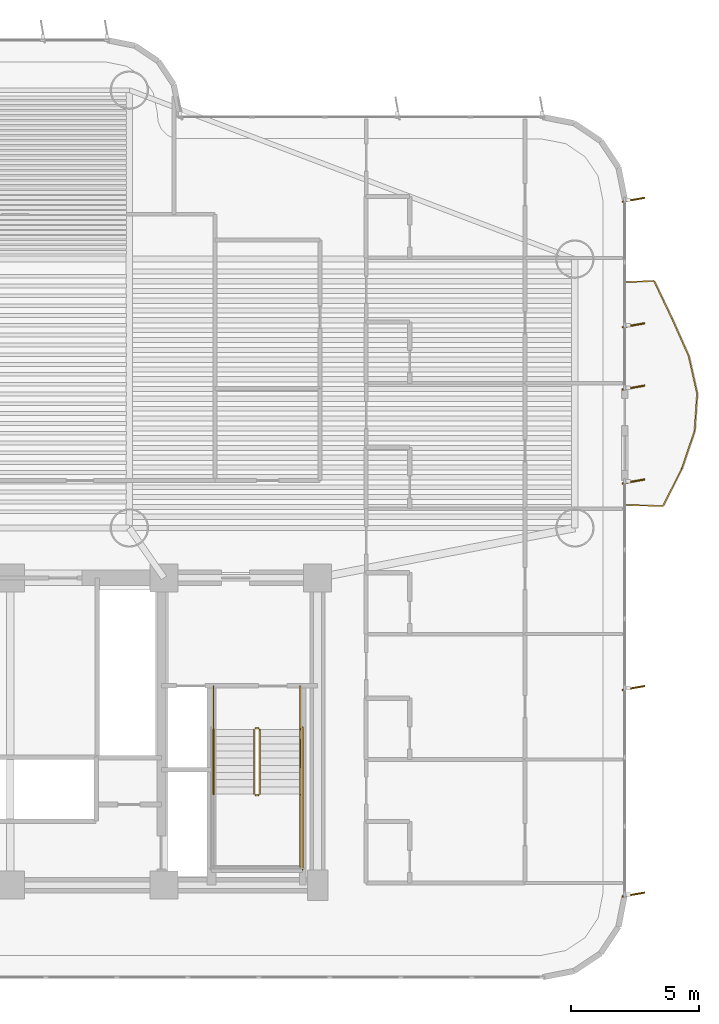
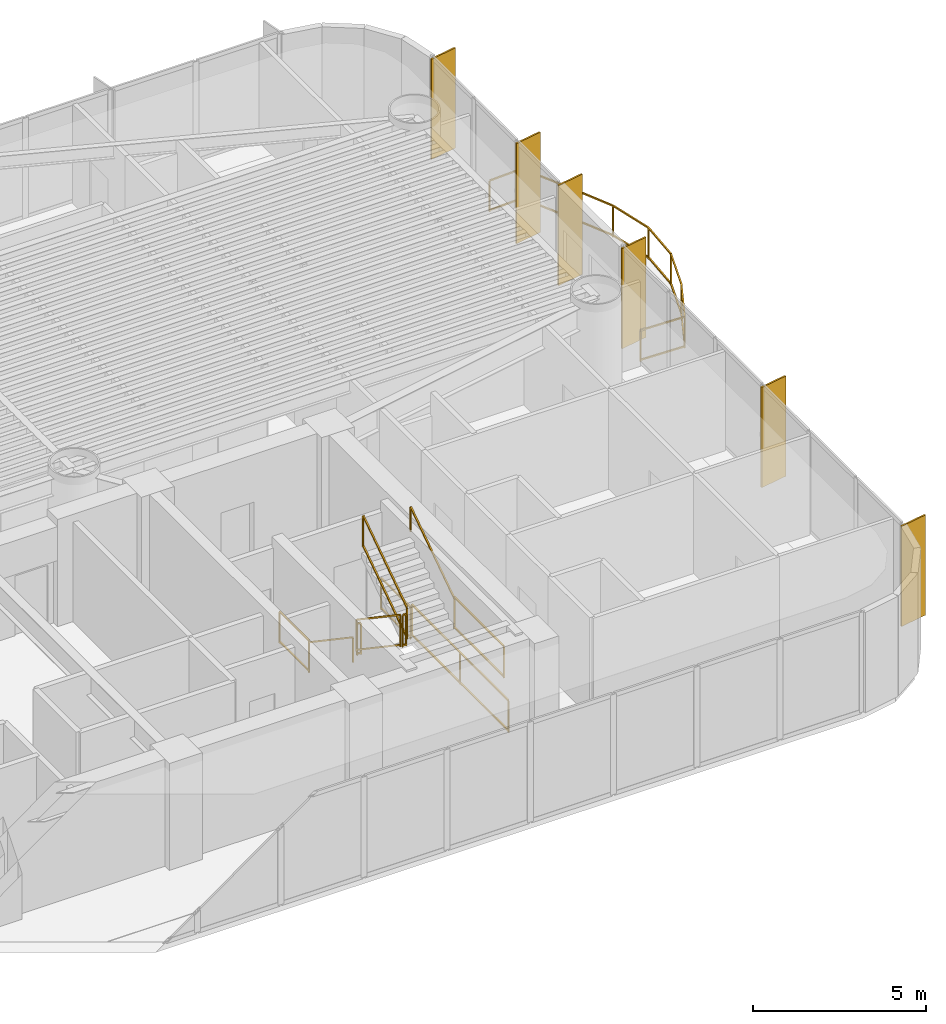
# One storey, part 18 of 19: 11 railings, 6 shading devices.
"""IFC4 building model written with IfcOpenShell, lengths in metres."""

from ifc_helpers import new_model, si_unit, direction, frame, origin, origin_2d, place, context, subcontext, project, spatial, rectangle, extrude, source, transform, mapped, material, layer, layer_set, material_profile, profile_set, type_object, element, save


model = new_model("IFC4")

# Units and contexts
model_context = context("Model", 3, precision=1e-05, world=origin(), true_north=direction((0.0, 1.0)))
body_context = subcontext(model_context, "Body", "Model", "MODEL_VIEW")
ifc_project = project(units=[si_unit("LENGTHUNIT", "METRE"), si_unit("AREAUNIT", "SQUARE_METRE"), si_unit("VOLUMEUNIT", "CUBIC_METRE"), si_unit("PLANEANGLEUNIT", "RADIAN"), si_unit("MASSUNIT", "GRAM", prefix="KILO")], contexts=[model_context])

# Site, building, storey
site_placement = place(None, origin())
site = spatial("IfcSite", under=ifc_project, at=site_placement, CompositionType="ELEMENT")
building_placement = place(site_placement, origin())
building = spatial("IfcBuilding", under=site, at=building_placement, Name="Brelvock Crest Care Tower", CompositionType="ELEMENT")
storey_placement = place(building_placement, frame((0.0, 0.0, 64.800048828125)))
storey = spatial("IfcBuildingStorey", under=building, at=storey_placement, Name="L16", CompositionType="ELEMENT", Elevation=64.800048828125)

# Railings
ifc_material_1 = material(Name="Dark Glass Double Glazed Low-E", Category="glass")
ifc_layer_1 = layer(ifc_material_1, 0.06005859375, Name="RL-BAL1")
ifc_layer_set_1 = layer_set([ifc_layer_1], Name="Dark Glass Double Glazed Low-E")
railing_type_1 = type_object("IfcRailingType", Name="RL-BAL1", PredefinedType="BALUSTRADE", material=ifc_layer_set_1)
railing_1_placement = place(storey_placement, frame((60.0400390625, 20.85009765625, 0.00390625)))
element("IfcRailing", 1, at=railing_1_placement, inside=storey, type_object=railing_type_1, Name="L16 Safety Balustrade WB-E", PredefinedType="BALUSTRADE", context=body_context, shape_type="SweptSolid", body=[
    extrude(rectangle(XDim=0.048095703125, YDim=0.048095703125, at=origin_2d()), frame((0.001953125, 0.0, 1.09619140625), z_axis=(0.999404799616, -0.034497050669, 0.0), x_axis=(0.034497050669, 0.999404799616, 0.0)), (0.0, 0.0, 1.0), 1.44677734375),
    extrude(rectangle(XDim=0.048095703125, YDim=0.048095703125, at=origin_2d()), frame((0.001953125, 0.0, 0.054931640625), z_axis=(0.999404799616, -0.034497050669, 0.0), x_axis=(0.034497050669, 0.999404799616, 0.0)), (0.0, 0.0, 1.0), 1.44677734375),
    extrude(rectangle(XDim=0.048095703125, YDim=0.048095703125, at=origin_2d()), frame((1.450927734375, -0.04833984375, 1.09619140625), z_axis=(0.448225238773, 0.893920653821, 0.0), x_axis=(-0.893920653821, 0.448225238773, 0.0)), (0.0, 0.0, 1.0), 1.636474609375),
    extrude(rectangle(XDim=0.048095703125, YDim=0.048095703125, at=origin_2d()), frame((1.450927734375, -0.04833984375, 0.054931640625), z_axis=(0.448225238773, 0.893920653821, 0.0), x_axis=(-0.893920653821, 0.448225238773, 0.0)), (0.0, 0.0, 1.0), 1.636474609375),
    extrude(rectangle(XDim=0.048095703125, YDim=0.048095703125, at=origin_2d()), frame((2.18603515625, 1.41845703125, 1.09619140625), z_axis=(0.32151843705, 0.946903318527, 0.0), x_axis=(-0.946903318527, 0.32151843705, 0.0)), (0.0, 0.0, 1.0), 1.545166015625),
    extrude(rectangle(XDim=0.048095703125, YDim=0.048095703125, at=origin_2d()), frame((2.18603515625, 1.41845703125, 0.054931640625), z_axis=(0.32151843705, 0.946903318527, 0.0), x_axis=(-0.946903318527, 0.32151843705, 0.0)), (0.0, 0.0, 1.0), 1.545166015625),
    extrude(rectangle(XDim=0.048095703125, YDim=0.048095703125, at=origin_2d()), frame((2.68359375, 2.88525390625, 1.09619140625), z_axis=(0.068095275072, 0.997678822825, 0.0), x_axis=(-0.997678822825, 0.068095275072, 0.0)), (0.0, 0.0, 1.0), 1.466064453125),
    extrude(rectangle(XDim=0.048095703125, YDim=0.048095703125, at=origin_2d()), frame((2.68359375, 2.88525390625, 0.054931640625), z_axis=(0.068095275072, 0.997678822825, 0.0), x_axis=(-0.997678822825, 0.068095275072, 0.0)), (0.0, 0.0, 1.0), 1.466064453125),
    extrude(rectangle(XDim=0.048095703125, YDim=0.048095703125, at=origin_2d()), frame((2.782958984375, 4.351806640625, 1.09619140625), z_axis=(-0.219697655804, 0.975568008923, 0.0), x_axis=(-0.975568008923, -0.219697655804, 0.0)), (0.0, 0.0, 1.0), 1.49951171875),
    extrude(rectangle(XDim=0.048095703125, YDim=0.048095703125, at=origin_2d()), frame((2.782958984375, 4.351806640625, 0.054931640625), z_axis=(-0.219697655804, 0.975568008923, 0.0), x_axis=(-0.975568008923, -0.219697655804, 0.0)), (0.0, 0.0, 1.0), 1.49951171875),
    extrude(rectangle(XDim=0.048095703125, YDim=0.048095703125, at=origin_2d()), frame((2.452392578125, 5.818359375, 1.09619140625), z_axis=(-0.407182153329, 0.913346973505, 0.0), x_axis=(-0.913346973505, -0.407182153329, 0.0)), (0.0, 0.0, 1.0), 1.601806640625),
    extrude(rectangle(XDim=0.048095703125, YDim=0.048095703125, at=origin_2d()), frame((2.452392578125, 5.818359375, 0.054931640625), z_axis=(-0.407182153329, 0.913346973505, 0.0), x_axis=(-0.913346973505, -0.407182153329, 0.0)), (0.0, 0.0, 1.0), 1.601806640625),
    extrude(rectangle(XDim=0.048095703125, YDim=0.048095703125, at=origin_2d()), frame((1.79833984375, 7.284912109375, 1.09619140625), z_axis=(-0.430429214624, 0.902624335589, 0.0), x_axis=(-0.902624335589, -0.430429214624, 0.0)), (0.0, 0.0, 1.0), 1.62109375),
    extrude(rectangle(XDim=0.048095703125, YDim=0.048095703125, at=origin_2d()), frame((1.79833984375, 7.284912109375, 0.054931640625), z_axis=(-0.430429214624, 0.902624335589, 0.0), x_axis=(-0.902624335589, -0.430429214624, 0.0)), (0.0, 0.0, 1.0), 1.62109375),
    extrude(rectangle(XDim=0.048095703125, YDim=0.048095703125, at=origin_2d()), frame((1.097900390625, 8.75, 1.09619140625), z_axis=(-0.998966252902, -0.045457953795, 0.0), x_axis=(0.045457953795, -0.998966252902, 0.0)), (0.0, 0.0, 1.0), 1.096923828125),
    extrude(rectangle(XDim=0.048095703125, YDim=0.048095703125, at=origin_2d()), frame((1.097900390625, 8.75, 0.054931640625), z_axis=(-0.998966252902, -0.045457953795, 0.0), x_axis=(0.045457953795, -0.998966252902, 0.0)), (0.0, 0.0, 1.0), 1.096923828125),
    extrude(rectangle(XDim=0.0419921875, YDim=0.0419921875, at=origin_2d()), origin(), (0.0, 0.0, 1.0), 1.070068359375),
    extrude(rectangle(XDim=0.0419921875, YDim=0.0419921875, at=origin_2d()), frame((1.449951171875, -0.050048828125, 0.0)), (0.0, 0.0, 1.0), 1.070068359375),
    extrude(rectangle(XDim=0.0419921875, YDim=0.0419921875, at=origin_2d()), frame((2.185302734375, 1.41650390625, 0.0)), (0.0, 0.0, 1.0), 1.070068359375),
    extrude(rectangle(XDim=0.0419921875, YDim=0.0419921875, at=origin_2d()), frame((2.683349609375, 2.88330078125, 0.0)), (0.0, 0.0, 1.0), 1.070068359375),
    extrude(rectangle(XDim=0.0419921875, YDim=0.0419921875, at=origin_2d()), frame((2.783447265625, 4.349853515625, 0.0)), (0.0, 0.0, 1.0), 1.070068359375),
    extrude(rectangle(XDim=0.0419921875, YDim=0.0419921875, at=origin_2d()), frame((2.453125, 5.816650390625, 0.0)), (0.0, 0.0, 1.0), 1.070068359375),
    extrude(rectangle(XDim=0.0419921875, YDim=0.0419921875, at=origin_2d()), frame((1.79931640625, 7.283203125, 0.0)), (0.0, 0.0, 1.0), 1.070068359375),
    extrude(rectangle(XDim=0.0419921875, YDim=0.0419921875, at=origin_2d()), frame((1.099853515625, 8.75, 0.0)), (0.0, 0.0, 1.0), 1.070068359375),
    extrude(rectangle(XDim=0.0419921875, YDim=0.0419921875, at=origin_2d()), frame((0.0, 8.699951171875, 0.0)), (0.0, 0.0, 1.0), 1.070068359375),
])
ifc_material_2 = material(Name="Steel Grade 350", Category="steel")
ifc_layer_2 = layer(ifc_material_2, 0.050048828125, Name="RL-STG1")
ifc_layer_set_2 = layer_set([ifc_layer_2], Name="Steel Grade 350")
railing_type_2 = type_object("IfcRailingType", Name="RL-STG1", PredefinedType="GUARDRAIL", material=ifc_layer_set_2)
railing_2_placement = place(storey_placement, frame((45.52001953125, 12.080078125, 0.18896484375)))
element("IfcRailing", 2, at=railing_2_placement, inside=storey, type_object=railing_type_2, Name="L16 ST-2 stair guard 1", PredefinedType="GUARDRAIL", context=body_context, shape_type="SweptSolid", body=[
    extrude(rectangle(XDim=0.048095703125, YDim=0.048095703125, at=origin_2d()), frame((0.0, -0.001708984375, 1.116943359375), z_axis=(0.0, -0.828861706735, 0.559453546873), x_axis=(1.0, 0.0, 0.0)), (0.0, 0.0, 1.0), 3.036376953125),
    extrude(rectangle(XDim=0.048095703125, YDim=0.048095703125, at=origin_2d()), frame((0.0, -0.001708984375, 0.05615234375), z_axis=(0.0, -0.828861706735, 0.559453546873), x_axis=(1.0, 0.0, 0.0)), (0.0, 0.0, 1.0), 3.036376953125),
    extrude(rectangle(XDim=0.0419921875, YDim=0.0419921875, at=origin_2d()), origin(), (0.0, 0.0, 1.0), 1.08984375),
    extrude(rectangle(XDim=0.0419921875, YDim=0.0419921875, at=origin_2d()), frame((0.0, -2.52001953125, 1.700927734375)), (0.0, 0.0, 1.0), 1.08984375),
])
railing_3_placement = place(storey_placement, frame((45.570068359375, 9.510009765625, 1.889892578125)))
element("IfcRailing", 3, at=railing_3_placement, inside=storey, type_object=railing_type_2, Name="L16 ST-2 stair guard 2", PredefinedType="GUARDRAIL", context=body_context, shape_type="SweptSolid", body=[
    extrude(rectangle(XDim=0.048095703125, YDim=0.048095703125, at=origin_2d()), frame((0.001953125, 0.0, 1.11572265625), z_axis=(1.0, 0.0, 0.0), x_axis=(0.0, 1.0, 0.0)), (0.0, 0.0, 1.0), 0.115966796875),
    extrude(rectangle(XDim=0.048095703125, YDim=0.048095703125, at=origin_2d()), frame((0.001953125, 0.0, 0.054931640625), z_axis=(1.0, 0.0, 0.0), x_axis=(0.0, 1.0, 0.0)), (0.0, 0.0, 1.0), 0.115966796875),
    extrude(rectangle(XDim=0.0419921875, YDim=0.0419921875, at=origin_2d()), origin(), (0.0, 0.0, 1.0), 1.08984375),
    extrude(rectangle(XDim=0.0419921875, YDim=0.0419921875, at=origin_2d()), frame((0.119873046875, 0.0, 0.0)), (0.0, 0.0, 1.0), 1.08984375),
])
railing_4_placement = place(storey_placement, frame((47.320068359375, 9.56005859375, 1.889892578125)))
element("IfcRailing", 4, at=railing_4_placement, inside=storey, type_object=railing_type_2, Name="L16 ST-2 stair guard 4", PredefinedType="GUARDRAIL", context=body_context, shape_type="SweptSolid", body=[
    extrude(rectangle(XDim=0.048095703125, YDim=0.048095703125, at=origin_2d()), frame((0.0, -0.001953125, 1.11572265625), z_axis=(0.0, -1.0, 0.0), x_axis=(1.0, 0.0, 0.0)), (0.0, 0.0, 1.0), 2.856201171875),
    extrude(rectangle(XDim=0.048095703125, YDim=0.048095703125, at=origin_2d()), frame((0.0, -0.001953125, 0.054931640625), z_axis=(0.0, -1.0, 0.0), x_axis=(1.0, 0.0, 0.0)), (0.0, 0.0, 1.0), 2.856201171875),
    extrude(rectangle(XDim=0.0419921875, YDim=0.0419921875, at=origin_2d()), origin(), (0.0, 0.0, 1.0), 1.08984375),
    extrude(rectangle(XDim=0.0419921875, YDim=0.0419921875, at=origin_2d()), frame((0.0, -2.860107421875, 0.0)), (0.0, 0.0, 1.0), 1.08984375),
])
railing_5_placement = place(storey_placement, frame((45.739990234375, 9.56005859375, 2.078857421875)))
element("IfcRailing", 5, at=railing_5_placement, inside=storey, type_object=railing_type_2, Name="L16 ST-2 stair guard 6", PredefinedType="GUARDRAIL", context=body_context, shape_type="SweptSolid", body=[
    extrude(rectangle(XDim=0.048095703125, YDim=0.048095703125, at=origin_2d()), frame((0.0, 0.001708984375, 1.116943359375), z_axis=(0.0, 0.82882447046, 0.559508710537), x_axis=(-1.0, 0.0, 0.0)), (0.0, 0.0, 1.0), 3.036376953125),
    extrude(rectangle(XDim=0.048095703125, YDim=0.048095703125, at=origin_2d()), frame((0.0, 0.001708984375, 0.05615234375), z_axis=(0.0, 0.82882447046, 0.559508710537), x_axis=(-1.0, 0.0, 0.0)), (0.0, 0.0, 1.0), 3.036376953125),
    extrude(rectangle(XDim=0.0419921875, YDim=0.0419921875, at=origin_2d()), origin(), (0.0, 0.0, 1.0), 1.08984375),
    extrude(rectangle(XDim=0.0419921875, YDim=0.0419921875, at=origin_2d()), frame((0.0, 2.52001953125, 1.701171875)), (0.0, 0.0, 1.0), 1.08984375),
])
railing_6_placement = place(storey_placement, frame((45.570068359375, 12.1298828125, 0.0)))
element("IfcRailing", 6, at=railing_6_placement, inside=storey, type_object=railing_type_2, Name="L16 ST-2 stair guard 7", PredefinedType="GUARDRAIL", context=body_context, shape_type="SweptSolid", body=[
    extrude(rectangle(XDim=0.048095703125, YDim=0.048095703125, at=origin_2d()), frame((0.001953125, 0.0, 1.11572265625), z_axis=(1.0, 0.0, 0.0), x_axis=(0.0, 1.0, 0.0)), (0.0, 0.0, 1.0), 0.115966796875),
    extrude(rectangle(XDim=0.048095703125, YDim=0.048095703125, at=origin_2d()), frame((0.001953125, 0.0, 0.054931640625), z_axis=(1.0, 0.0, 0.0), x_axis=(0.0, 1.0, 0.0)), (0.0, 0.0, 1.0), 0.115966796875),
    extrude(rectangle(XDim=0.0419921875, YDim=0.0419921875, at=origin_2d()), origin(), (0.0, 0.0, 1.0), 1.08984375),
    extrude(rectangle(XDim=0.0419921875, YDim=0.0419921875, at=origin_2d()), frame((0.119873046875, 0.0, 0.0)), (0.0, 0.0, 1.0), 1.08984375),
])
for number, where, name in (
    (7, (43.93994140625, 13.780029296875, 0.0), "L16 ST-2 stair guard 8"),
    (8, (47.320068359375, 13.780029296875, 0.0), "L16 ST-2 stair guard 9"),
):
    element("IfcRailing", number, at=place(storey_placement, frame(where)), inside=storey, type_object=railing_type_2, Name=name, PredefinedType="GUARDRAIL", context=body_context, shape_type="SweptSolid", body=[
        extrude(rectangle(XDim=0.048095703125, YDim=0.048095703125, at=origin_2d()), frame((0.0, -0.001953125, 1.11572265625), z_axis=(0.0, -1.0, 0.0), x_axis=(1.0, 0.0, 0.0)), (0.0, 0.0, 1.0), 1.696044921875),
        extrude(rectangle(XDim=0.048095703125, YDim=0.048095703125, at=origin_2d()), frame((0.0, -0.001953125, 0.054931640625), z_axis=(0.0, -1.0, 0.0), x_axis=(1.0, 0.0, 0.0)), (0.0, 0.0, 1.0), 1.696044921875),
        extrude(rectangle(XDim=0.0419921875, YDim=0.0419921875, at=origin_2d()), origin(), (0.0, 0.0, 1.0), 1.08984375),
        extrude(rectangle(XDim=0.0419921875, YDim=0.0419921875, at=origin_2d()), frame((0.0, -1.699951171875, 0.0)), (0.0, 0.0, 1.0), 1.08984375),
    ])
railing_7_placement = place(storey_placement, frame((47.419921875, 12.179931640625, 0.0)))
element("IfcRailing", 9, at=railing_7_placement, inside=storey, type_object=railing_type_2, Name="L16 ST-2 stair guard 11", PredefinedType="GUARDRAIL", context=body_context, shape_type="SweptSolid", body=[
    extrude(rectangle(XDim=0.048095703125, YDim=0.048095703125, at=origin_2d()), frame((0.0, -0.001953125, 1.11572265625), z_axis=(0.0, -1.0, 0.0), x_axis=(1.0, 0.0, 0.0)), (0.0, 0.0, 1.0), 5.575927734375),
    extrude(rectangle(XDim=0.048095703125, YDim=0.048095703125, at=origin_2d()), frame((0.0, -0.001953125, 0.054931640625), z_axis=(0.0, -1.0, 0.0), x_axis=(1.0, 0.0, 0.0)), (0.0, 0.0, 1.0), 5.575927734375),
    extrude(rectangle(XDim=0.0419921875, YDim=0.0419921875, at=origin_2d()), origin(), (0.0, 0.0, 1.0), 1.08984375),
    extrude(rectangle(XDim=0.0419921875, YDim=0.0419921875, at=origin_2d()), frame((0.0, -2.7900390625, 0.0)), (0.0, 0.0, 1.0), 1.08984375),
    extrude(rectangle(XDim=0.0419921875, YDim=0.0419921875, at=origin_2d()), frame((0.0, -5.579833984375, 0.0)), (0.0, 0.0, 1.0), 1.08984375),
])
ifc_layer_3 = layer(ifc_material_2, 0.048095703125, Name="RL-STH1")
ifc_layer_set_3 = layer_set([ifc_layer_3], Name="Steel Grade 350")
railing_type_3 = type_object("IfcRailingType", Name="RL-STH1", PredefinedType="HANDRAIL", material=ifc_layer_set_3)
railing_8_placement = place(storey_placement, frame((43.93994140625, 12.080078125, 0.18896484375)))
element("IfcRailing", 10, at=railing_8_placement, inside=storey, type_object=railing_type_3, Name="L16 ST-2 stair handrail 1", PredefinedType="HANDRAIL", context=body_context, shape_type="SweptSolid", body=[
    extrude(rectangle(XDim=0.048095703125, YDim=0.048095703125, at=origin_2d()), frame((0.0, -0.001708984375, 0.876953125), z_axis=(0.0, -0.828861706735, 0.559453546873), x_axis=(1.0, 0.0, 0.0)), (0.0, 0.0, 1.0), 3.036376953125),
    extrude(rectangle(XDim=0.0419921875, YDim=0.0419921875, at=origin_2d()), origin(), (0.0, 0.0, 1.0), 0.849853515625),
    extrude(rectangle(XDim=0.0419921875, YDim=0.0419921875, at=origin_2d()), frame((0.0, -2.52001953125, 1.700927734375)), (0.0, 0.0, 1.0), 0.849853515625),
])
railing_9_placement = place(storey_placement, frame((47.320068359375, 9.56005859375, 2.078857421875)))
element("IfcRailing", 11, at=railing_9_placement, inside=storey, type_object=railing_type_3, Name="L16 ST-2 stair handrail 2", PredefinedType="HANDRAIL", context=body_context, shape_type="SweptSolid", body=[
    extrude(rectangle(XDim=0.048095703125, YDim=0.048095703125, at=origin_2d()), frame((0.0, 0.001708984375, 0.876953125), z_axis=(0.0, 0.82882447046, 0.559508710537), x_axis=(-1.0, 0.0, 0.0)), (0.0, 0.0, 1.0), 3.036376953125),
    extrude(rectangle(XDim=0.0419921875, YDim=0.0419921875, at=origin_2d()), origin(), (0.0, 0.0, 1.0), 0.849853515625),
    extrude(rectangle(XDim=0.0419921875, YDim=0.0419921875, at=origin_2d()), frame((0.0, 2.52001953125, 1.701171875)), (0.0, 0.0, 1.0), 0.849853515625),
])

# Shading devices
ifc_material_3 = material(Name="Aluminium 6063-T6", Category="aluminium")
ifc_material_profile = material_profile(ifc_material_3, rectangle(XDim=0.054931640625, YDim=0.89990234375, at=origin_2d()), Name="FIN55x900")
ifc_profile_set = profile_set([ifc_material_profile], Name="Aluminium 6063-T6")
shading_device_type = type_object("IfcShadingDeviceType", Name="SHD-FIN1", PredefinedType="USERDEFINED", material=ifc_profile_set)
shared_shape = source(origin(), body_context, "Body", "SweptSolid", [
    extrude(rectangle(XDim=0.054931640625, YDim=0.89990234375, at=origin_2d()), origin(), (0.0, 0.0, 1.0), 3.530029296875),
])
for number, where, z_axis, x_axis, name in (
    (12, (60.340087890625, 32.767578125, 0.0), (0.0, 0.0, 1.0), (0.173648177667, -0.984807753012, 0.0), "L16 Vertical Sunshade Fin E03A-01"),
    (13, (60.340087890625, 27.86669921875, 0.0), (0.0, 0.0, 1.0), (0.173648177667, -0.984807753012, 0.0), "L16 Vertical Sunshade Fin E03A-03"),
    (14, (60.340087890625, 25.4326171875, 0.0), (0.0, 0.0, 1.0), (0.173648177667, -0.984807753012, 0.0), "L16 Vertical Sunshade Fin E03A-04"),
    (15, (60.340087890625, 21.767578125, 0.0), (0.0, 0.0, 1.0), (0.173648177667, -0.984807753012, 0.0), "L16 Vertical Sunshade Fin E03B-01"),
    (16, (60.340087890625, 13.699951171875, 0.0), (0.0, 0.0, 1.0), (0.173648177667, -0.984807753012, 0.0), "L16 Vertical Sunshade Fin E03B-04"),
    (17, (60.340087890625, 5.632568359375, 0.0), (0.0, 0.0, 1.0), (0.173648177667, -0.984807753012, 0.0), "L16 Vertical Sunshade Fin E03B-07"),
):
    element("IfcShadingDevice", number, at=place(storey_placement, frame(where, z_axis=z_axis, x_axis=x_axis)), inside=storey, type_object=shading_device_type, Name=name, ObjectType="FIN", PredefinedType="USERDEFINED", context=body_context, shape_type="MappedRepresentation", body=[
        mapped(shared_shape, transform((0.0, 0.0, 0.0), x_axis=(1.0, 0.0, 0.0), y_axis=(0.0, 1.0, 0.0), z_axis=(0.0, 0.0, 1.0), scale=1.0)),
    ])

save(model, "model.ifc")
